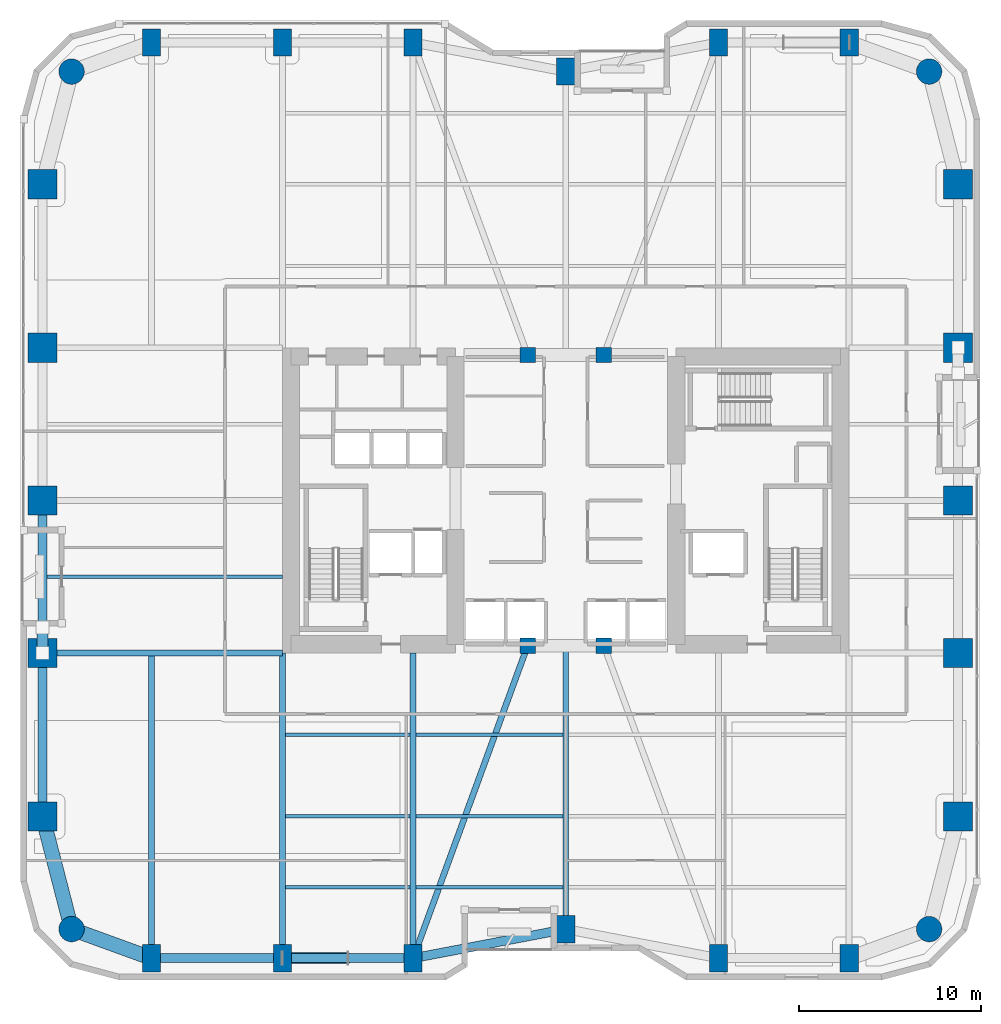
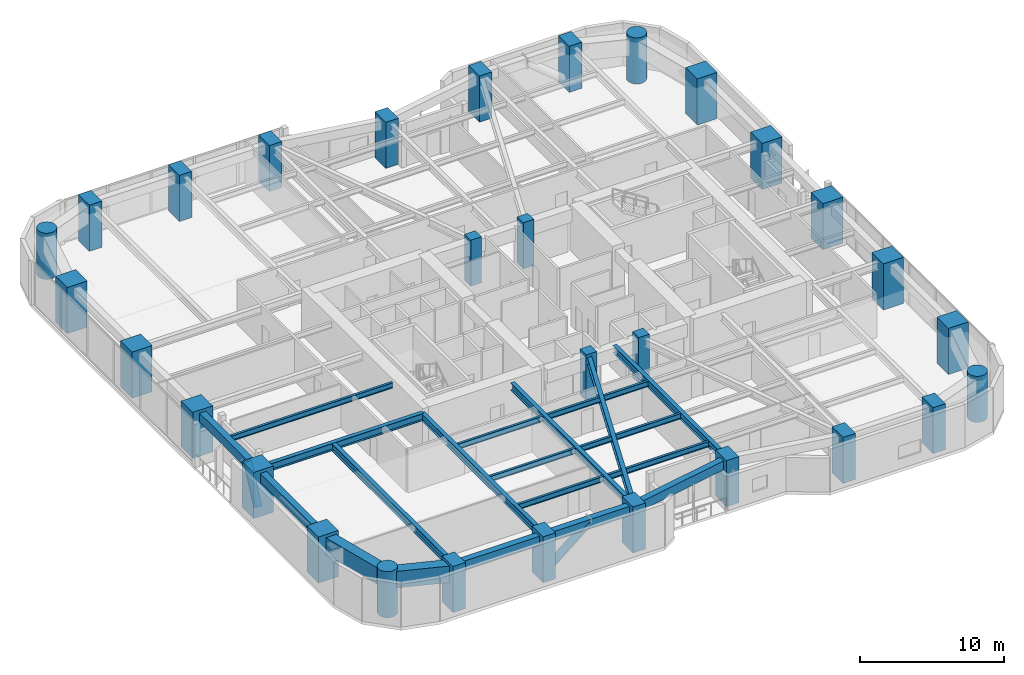
# One storey, part 1 of 24: 30 columns, 20 beams, 2 members.
"""IFC4 building model written with IfcOpenShell, lengths in metres."""

from ifc_helpers import new_model, si_unit, direction, frame, origin, origin_2d, place, context, subcontext, project, spatial, rectangle, circle, hollow_circle, i_section, extrude, material, material_profile, profile_set, type_object, element, save


model = new_model("IFC4")

# Units and contexts
model_context = context("Model", 3, precision=1e-05, world=origin(), true_north=direction((0.0, 1.0)))
body_context = subcontext(model_context, "Body", "Model", "MODEL_VIEW")
ifc_project = project(units=[si_unit("LENGTHUNIT", "METRE"), si_unit("AREAUNIT", "SQUARE_METRE"), si_unit("VOLUMEUNIT", "CUBIC_METRE"), si_unit("PLANEANGLEUNIT", "RADIAN"), si_unit("MASSUNIT", "GRAM", prefix="KILO")], contexts=[model_context])

# Site, building, storey
site_placement = place(None, origin())
site = spatial("IfcSite", under=ifc_project, at=site_placement, CompositionType="ELEMENT")
building_placement = place(site_placement, origin())
building = spatial("IfcBuilding", under=site, at=building_placement, Name="Kiyonajd Concourse Tower", CompositionType="ELEMENT")
storey_placement = place(building_placement, frame((0.0, 0.0, 89.699951171875)))
storey = spatial("IfcBuildingStorey", under=building, at=storey_placement, Name="L23", CompositionType="ELEMENT", Elevation=89.699951171875)

# Columns
ifc_material_1 = material(Name="Concrete C80/95", Category="concrete")
ifc_material_profile_1 = material_profile(ifc_material_1, rectangle(XDim=1.0, YDim=1.5, at=origin_2d()), Name="RC-1500x1000")
ifc_profile_set_1 = profile_set([ifc_material_profile_1], Name="Concrete C80/95")
column_type_1 = type_object("IfcColumnType", Name="CL-BLADE-1500", PredefinedType="COLUMN", material=ifc_profile_set_1)
for number, where, z_axis, x_axis, name in (
    (1, (25.199951171875, 10.800048828125, 0.0), (0.0, 0.0, 1.0), (1.0, 0.0, 0.0), "L23 Perimeter Bundled Tube Column"),
    (2, (25.199951171875, 61.199951171875, 0.0), (0.0, 0.0, 1.0), (1.0, 0.0, 0.0), "L23 Perimeter Bundled Tube Column"),
    (3, (32.39990234375, 10.800048828125, 0.0), (0.0, 0.0, 1.0), (1.0, 0.0, 0.0), "L23 Perimeter Bundled Tube Column"),
    (4, (32.39990234375, 61.199951171875, 0.0), (0.0, 0.0, 1.0), (1.0, 0.0, 0.0), "L23 Perimeter Bundled Tube Column"),
    (5, (39.60009765625, 10.800048828125, 0.0), (0.0, 0.0, 1.0), (1.0, 0.0, 0.0), "L23 Perimeter Bundled Tube Column"),
    (6, (39.60009765625, 61.199951171875, 0.0), (0.0, 0.0, 1.0), (1.0, 0.0, 0.0), "L23 Perimeter Bundled Tube Column"),
    (7, (48.0, 12.39990234375, 0.0), (0.0, 0.0, 1.0), (1.0, 0.0, 0.0), "L23 Perimeter Bundled Tube Column"),
    (8, (48.0, 59.60009765625, 0.0), (0.0, 0.0, 1.0), (1.0, 0.0, 0.0), "L23 Perimeter Bundled Tube Column"),
    (9, (56.39990234375, 10.800048828125, 0.0), (0.0, 0.0, 1.0), (1.0, 0.0, 0.0), "L23 Perimeter Bundled Tube Column"),
    (10, (56.39990234375, 61.199951171875, 0.0), (0.0, 0.0, 1.0), (1.0, 0.0, 0.0), "L23 Perimeter Bundled Tube Column"),
    (11, (63.60009765625, 10.800048828125, 0.0), (0.0, 0.0, 1.0), (1.0, 0.0, 0.0), "L23 Perimeter Bundled Tube Column"),
    (12, (63.60009765625, 61.199951171875, 0.0), (0.0, 0.0, 1.0), (1.0, 0.0, 0.0), "L23 Perimeter Bundled Tube Column"),
):
    element("IfcColumn", number, at=place(storey_placement, frame(where, z_axis=z_axis, x_axis=x_axis)), inside=storey, type_object=column_type_1, Name=name, PredefinedType="COLUMN", context=body_context, shape_type="SweptSolid", body=[
        extrude(rectangle(XDim=1.0, YDim=1.5, at=origin_2d()), origin(), (0.0, 0.0, 1.0), 3.900146484375),
    ])
ifc_material_profile_2 = material_profile(ifc_material_1, circle(Radius=0.699951171875, at=origin_2d()), Name="RCC-D1400")
ifc_profile_set_2 = profile_set([ifc_material_profile_2], Name="Concrete C80/95")
column_type_2 = type_object("IfcColumnType", Name="CL-RND-1400", PredefinedType="COLUMN", material=ifc_profile_set_2)
for number, where, z_axis, x_axis, name in (
    (13, (20.800048828125, 12.39990234375, 0.0), (0.0, 0.0, 1.0), (1.0, 0.0, 0.0), "L23 Bundled Tube Corner Column South West"),
    (14, (68.0, 12.39990234375, 0.0), (0.0, 0.0, 1.0), (1.0, 0.0, 0.0), "L23 Bundled Tube Corner Column South East"),
    (15, (68.0, 59.60009765625, 0.0), (0.0, 0.0, 1.0), (1.0, 0.0, 0.0), "L23 Bundled Tube Corner Column North East"),
    (16, (20.800048828125, 59.60009765625, 0.0), (0.0, 0.0, 1.0), (1.0, 0.0, 0.0), "L23 Bundled Tube Corner Column North West"),
):
    element("IfcColumn", number, at=place(storey_placement, frame(where, z_axis=z_axis, x_axis=x_axis)), inside=storey, type_object=column_type_2, Name=name, PredefinedType="COLUMN", context=body_context, shape_type="SweptSolid", body=[
        extrude(circle(Radius=0.699951171875, at=origin_2d()), origin(), (0.0, 0.0, 1.0), 3.900146484375),
    ])
ifc_material_profile_3 = material_profile(ifc_material_1, rectangle(XDim=1.60009765625, YDim=1.60009765625, at=origin_2d()), Name="RC-1600x1600")
ifc_profile_set_3 = profile_set([ifc_material_profile_3], Name="Concrete C80/95")
column_type_3 = type_object("IfcColumnType", Name="CL-TUBE-1600", PredefinedType="COLUMN", material=ifc_profile_set_3)
for number, where, z_axis, x_axis, name in (
    (17, (19.199951171875, 18.60009765625, 0.0), (0.0, 0.0, 1.0), (1.0, 0.0, 0.0), "L23 Perimeter Bundled Tube Column"),
    (18, (69.60009765625, 18.60009765625, 0.0), (0.0, 0.0, 1.0), (1.0, 0.0, 0.0), "L23 Perimeter Bundled Tube Column"),
    (19, (19.199951171875, 27.60009765625, 0.0), (0.0, 0.0, 1.0), (1.0, 0.0, 0.0), "L23 Perimeter Bundled Tube Column"),
    (20, (69.60009765625, 27.60009765625, 0.0), (0.0, 0.0, 1.0), (1.0, 0.0, 0.0), "L23 Perimeter Bundled Tube Column"),
    (21, (19.199951171875, 36.0, 0.0), (0.0, 0.0, 1.0), (1.0, 0.0, 0.0), "L23 Perimeter Bundled Tube Column"),
    (22, (69.60009765625, 36.0, 0.0), (0.0, 0.0, 1.0), (1.0, 0.0, 0.0), "L23 Perimeter Bundled Tube Column"),
    (23, (19.199951171875, 44.39990234375, 0.0), (0.0, 0.0, 1.0), (1.0, 0.0, 0.0), "L23 Perimeter Bundled Tube Column"),
    (24, (69.60009765625, 44.39990234375, 0.0), (0.0, 0.0, 1.0), (1.0, 0.0, 0.0), "L23 Perimeter Bundled Tube Column"),
    (25, (19.199951171875, 53.39990234375, 0.0), (0.0, 0.0, 1.0), (1.0, 0.0, 0.0), "L23 Perimeter Bundled Tube Column"),
    (26, (69.60009765625, 53.39990234375, 0.0), (0.0, 0.0, 1.0), (1.0, 0.0, 0.0), "L23 Perimeter Bundled Tube Column"),
):
    element("IfcColumn", number, at=place(storey_placement, frame(where, z_axis=z_axis, x_axis=x_axis)), inside=storey, type_object=column_type_3, Name=name, PredefinedType="COLUMN", context=body_context, shape_type="SweptSolid", body=[
        extrude(rectangle(XDim=1.60009765625, YDim=1.60009765625, at=origin_2d()), origin(), (0.0, 0.0, 1.0), 3.900146484375),
    ])
ifc_material_2 = material(Name="Concrete C60/75", Category="concrete")
ifc_material_profile_4 = material_profile(ifc_material_2, rectangle(XDim=0.85009765625, YDim=0.85009765625, at=origin_2d()), Name="RC-850x850")
ifc_profile_set_4 = profile_set([ifc_material_profile_4], Name="Concrete C60/75")
column_type_4 = type_object("IfcColumnType", Name="CL-TUBE-850", PredefinedType="COLUMN", material=ifc_profile_set_4)
for number, where, z_axis, x_axis, name in (
    (27, (45.89990234375, 28.0, 0.0), (0.0, 0.0, 1.0), (1.0, 0.0, 0.0), "L23 Core Tie Column South West"),
    (28, (50.10009765625, 28.0, 0.0), (0.0, 0.0, 1.0), (1.0, 0.0, 0.0), "L23 Core Tie Column South East"),
    (29, (45.89990234375, 44.0, 0.0), (0.0, 0.0, 1.0), (1.0, 0.0, 0.0), "L23 Core Tie Column North West"),
    (30, (50.10009765625, 44.0, 0.0), (0.0, 0.0, 1.0), (1.0, 0.0, 0.0), "L23 Core Tie Column North East"),
):
    element("IfcColumn", number, at=place(storey_placement, frame(where, z_axis=z_axis, x_axis=x_axis)), inside=storey, type_object=column_type_4, Name=name, PredefinedType="COLUMN", context=body_context, shape_type="SweptSolid", body=[
        extrude(rectangle(XDim=0.85009765625, YDim=0.85009765625, at=origin_2d()), origin(), (0.0, 0.0, 1.0), 3.900146484375),
    ])

# Beams
ifc_material_3 = material(Name="Steel ASTM A992 Grade 50", Category="steel")
ifc_material_profile_5 = material_profile(ifc_material_3, i_section(OverallWidth=0.19189453125, OverallDepth=0.462890625, WebThickness=0.010498046875, FlangeThickness=0.017578125, at=origin_2d()), Name="W460X89")
ifc_profile_set_5 = profile_set([ifc_material_profile_5], Name="Steel ASTM A992 Grade 50")
beam_type_1 = type_object("IfcBeamType", Name="BM-JST-460B", PredefinedType="JOIST", material=ifc_profile_set_5)
beam_1_placement = place(storey_placement, frame((32.5634765625, 14.699951171875, 3.408447265625), z_axis=(1.0, 0.0, 0.0), x_axis=(0.0, 1.0, 0.0)))
element("IfcBeam", 31, at=beam_1_placement, inside=storey, type_object=beam_type_1, Name="L23 Secondary Floor Joist", PredefinedType="JOIST", context=body_context, shape_type="SweptSolid", body=[
    extrude(i_section(OverallWidth=0.19189453125, OverallDepth=0.462890625, WebThickness=0.010498046875, FlangeThickness=0.017578125, at=origin_2d()), origin(), (0.0, 0.0, 1.0), 6.873046875),
])
beam_2_placement = place(storey_placement, frame((39.763427734375, 14.699951171875, 3.408447265625), z_axis=(1.0, 0.0, 0.0), x_axis=(0.0, 1.0, 0.0)))
element("IfcBeam", 32, at=beam_2_placement, inside=storey, type_object=beam_type_1, Name="L23 Secondary Floor Joist", PredefinedType="JOIST", context=body_context, shape_type="SweptSolid", body=[
    extrude(i_section(OverallWidth=0.19189453125, OverallDepth=0.462890625, WebThickness=0.010498046875, FlangeThickness=0.017578125, at=origin_2d()), origin(), (0.0, 0.0, 1.0), 8.072998046875),
])
beam_3_placement = place(storey_placement, frame((32.5634765625, 18.60009765625, 3.408447265625), z_axis=(1.0, 0.0, 0.0), x_axis=(0.0, 1.0, 0.0)))
element("IfcBeam", 33, at=beam_3_placement, inside=storey, type_object=beam_type_1, Name="L23 Secondary Floor Joist", PredefinedType="JOIST", context=body_context, shape_type="SweptSolid", body=[
    extrude(i_section(OverallWidth=0.19189453125, OverallDepth=0.462890625, WebThickness=0.010498046875, FlangeThickness=0.017578125, at=origin_2d()), origin(), (0.0, 0.0, 1.0), 6.873046875),
])
beam_4_placement = place(storey_placement, frame((39.763427734375, 18.60009765625, 3.408447265625), z_axis=(1.0, 0.0, 0.0), x_axis=(0.0, 1.0, 0.0)))
element("IfcBeam", 34, at=beam_4_placement, inside=storey, type_object=beam_type_1, Name="L23 Secondary Floor Joist", PredefinedType="JOIST", context=body_context, shape_type="SweptSolid", body=[
    extrude(i_section(OverallWidth=0.19189453125, OverallDepth=0.462890625, WebThickness=0.010498046875, FlangeThickness=0.017578125, at=origin_2d()), origin(), (0.0, 0.0, 1.0), 8.072998046875),
])
beam_5_placement = place(storey_placement, frame((32.5634765625, 23.10009765625, 3.408447265625), z_axis=(1.0, 0.0, 0.0), x_axis=(0.0, 1.0, 0.0)))
element("IfcBeam", 35, at=beam_5_placement, inside=storey, type_object=beam_type_1, Name="L23 Secondary Floor Joist", PredefinedType="JOIST", context=body_context, shape_type="SweptSolid", body=[
    extrude(i_section(OverallWidth=0.19189453125, OverallDepth=0.462890625, WebThickness=0.010498046875, FlangeThickness=0.017578125, at=origin_2d()), origin(), (0.0, 0.0, 1.0), 6.873046875),
])
beam_6_placement = place(storey_placement, frame((39.763427734375, 23.10009765625, 3.408447265625), z_axis=(1.0, 0.0, 0.0), x_axis=(0.0, 1.0, 0.0)))
element("IfcBeam", 36, at=beam_6_placement, inside=storey, type_object=beam_type_1, Name="L23 Secondary Floor Joist", PredefinedType="JOIST", context=body_context, shape_type="SweptSolid", body=[
    extrude(i_section(OverallWidth=0.19189453125, OverallDepth=0.462890625, WebThickness=0.010498046875, FlangeThickness=0.017578125, at=origin_2d()), origin(), (0.0, 0.0, 1.0), 8.072998046875),
])
beam_7_placement = place(storey_placement, frame((19.449951171875, 31.800048828125, 3.408447265625), z_axis=(1.0, 0.0, 0.0), x_axis=(0.0, 1.0, 0.0)))
element("IfcBeam", 37, at=beam_7_placement, inside=storey, type_object=beam_type_1, Name="L23 West Secondary Floor Joist", PredefinedType="JOIST", context=body_context, shape_type="SweptSolid", body=[
    extrude(i_section(OverallWidth=0.19189453125, OverallDepth=0.462890625, WebThickness=0.010498046875, FlangeThickness=0.017578125, at=origin_2d()), origin(), (0.0, 0.0, 1.0), 12.949951171875),
])
ifc_material_4 = material(Name="Precast concrete C50/60", Category="concrete")
ifc_material_profile_6 = material_profile(ifc_material_4, rectangle(XDim=0.5, YDim=0.75, at=origin_2d()), Name="RCBM-500x750")
ifc_profile_set_6 = profile_set([ifc_material_profile_6], Name="Precast concrete C50/60")
beam_type_2 = type_object("IfcBeamType", Name="BM-SPAN-RC", PredefinedType="SPANDREL", material=ifc_profile_set_6)
beam_8_placement = place(storey_placement, frame((19.199951171875, 27.60009765625, 3.26513671875), z_axis=(0.0, -1.0, 0.0), x_axis=(1.0, 0.0, 0.0)))
element("IfcBeam", 38, at=beam_8_placement, inside=storey, type_object=beam_type_2, Name="L23 Perimeter Bundled Tube Spandrel", PredefinedType="SPANDREL", context=body_context, shape_type="SweptSolid", body=[
    extrude(rectangle(XDim=0.5, YDim=0.75, at=origin_2d()), origin(), (0.0, 0.0, 1.0), 9.0),
])
beam_9_placement = place(storey_placement, frame((25.199951171875, 10.800048828125, 3.26513671875), z_axis=(1.0, 0.0, 0.0), x_axis=(0.0, 1.0, 0.0)))
element("IfcBeam", 39, at=beam_9_placement, inside=storey, type_object=beam_type_2, Name="L23 Perimeter Bundled Tube Spandrel", PredefinedType="SPANDREL", context=body_context, shape_type="SweptSolid", body=[
    extrude(rectangle(XDim=0.5, YDim=0.75, at=origin_2d()), origin(), (0.0, 0.0, 1.0), 7.199951171875),
])
beam_10_placement = place(storey_placement, frame((32.39990234375, 10.800048828125, 3.26513671875), z_axis=(1.0, 0.0, 0.0), x_axis=(0.0, 1.0, 0.0)))
element("IfcBeam", 40, at=beam_10_placement, inside=storey, type_object=beam_type_2, Name="L23 Perimeter Bundled Tube Spandrel", PredefinedType="SPANDREL", context=body_context, shape_type="SweptSolid", body=[
    extrude(rectangle(XDim=0.5, YDim=0.75, at=origin_2d()), origin(), (0.0, 0.0, 1.0), 7.2001953125),
])
beam_11_placement = place(storey_placement, frame((39.60009765625, 10.800048828125, 3.26513671875), z_axis=(0.982341315253, 0.187097675953, 0.0), x_axis=(-0.187097675953, 0.982341315253, 0.0)))
element("IfcBeam", 41, at=beam_11_placement, inside=storey, type_object=beam_type_2, Name="L23 Perimeter Bundled Tube Spandrel", PredefinedType="SPANDREL", context=body_context, shape_type="SweptSolid", body=[
    extrude(rectangle(XDim=0.5, YDim=0.75, at=origin_2d()), origin(), (0.0, 0.0, 1.0), 8.55078125),
])
beam_12_placement = place(storey_placement, frame((19.199951171875, 36.0, 3.26513671875), z_axis=(0.0, -1.0, 0.0), x_axis=(1.0, 0.0, 0.0)))
element("IfcBeam", 42, at=beam_12_placement, inside=storey, type_object=beam_type_2, Name="L23 Perimeter Bundled Tube Spandrel", PredefinedType="SPANDREL", context=body_context, shape_type="SweptSolid", body=[
    extrude(rectangle(XDim=0.5, YDim=0.75, at=origin_2d()), origin(), (0.0, 0.0, 1.0), 8.39990234375),
])
ifc_material_profile_7 = material_profile(ifc_material_3, i_section(OverallWidth=0.326904296875, OverallDepth=0.6220703125, WebThickness=0.015380859375, FlangeThickness=0.0244140625, at=origin_2d()), Name="W610X195")
ifc_profile_set_7 = profile_set([ifc_material_profile_7], Name="Steel ASTM A992 Grade 50")
beam_type_3 = type_object("IfcBeamType", Name="BM-TWR-610A", PredefinedType="BEAM", material=ifc_profile_set_7)
beam_13_placement = place(storey_placement, frame((39.60009765625, 10.800048828125, 3.3291015625), z_axis=(0.343925269715, 0.938997022813, 0.0), x_axis=(-0.938997022813, 0.343925269715, 0.0)))
element("IfcBeam", 43, at=beam_13_placement, inside=storey, type_object=beam_type_3, Name="L23 Core Tie Girder", PredefinedType="BEAM", context=body_context, shape_type="SweptSolid", body=[
    extrude(i_section(OverallWidth=0.326904296875, OverallDepth=0.6220703125, WebThickness=0.015380859375, FlangeThickness=0.0244140625, at=origin_2d()), origin(), (0.0, 0.0, 1.0), 18.3173828125),
])
for number, where, z_axis, x_axis, name in (
    (44, (25.199951171875, 10.800048828125, 3.3291015625), (0.0, 1.0, 0.0), (-1.0, 0.0, 0.0), "L23 South Lease Girder"),
    (45, (32.39990234375, 10.800048828125, 3.3291015625), (0.0, 1.0, 0.0), (-1.0, 0.0, 0.0), "L23 South Lease Girder"),
    (46, (39.60009765625, 10.800048828125, 3.3291015625), (0.0, 1.0, 0.0), (-1.0, 0.0, 0.0), "L23 South Lease Girder"),
):
    element("IfcBeam", number, at=place(storey_placement, frame(where, z_axis=z_axis, x_axis=x_axis)), inside=storey, type_object=beam_type_3, Name=name, PredefinedType="BEAM", context=body_context, shape_type="SweptSolid", body=[
        extrude(i_section(OverallWidth=0.326904296875, OverallDepth=0.6220703125, WebThickness=0.015380859375, FlangeThickness=0.0244140625, at=origin_2d()), origin(), (0.0, 0.0, 1.0), 16.800048828125),
    ])
beam_14_placement = place(storey_placement, frame((48.0, 12.39990234375, 3.3291015625), z_axis=(0.0, 1.0, 0.0), x_axis=(-1.0, 0.0, 0.0)))
element("IfcBeam", 47, at=beam_14_placement, inside=storey, type_object=beam_type_3, Name="L23 South Ribbon Girder", PredefinedType="BEAM", context=body_context, shape_type="SweptSolid", body=[
    extrude(i_section(OverallWidth=0.326904296875, OverallDepth=0.6220703125, WebThickness=0.015380859375, FlangeThickness=0.0244140625, at=origin_2d()), origin(), (0.0, 0.0, 1.0), 15.60009765625),
])
beam_15_placement = place(storey_placement, frame((19.199951171875, 27.60009765625, 3.3291015625), z_axis=(1.0, 0.0, 0.0), x_axis=(0.0, 1.0, 0.0)))
element("IfcBeam", 48, at=beam_15_placement, inside=storey, type_object=beam_type_3, Name="L23 West Lease Girder", PredefinedType="BEAM", context=body_context, shape_type="SweptSolid", body=[
    extrude(i_section(OverallWidth=0.326904296875, OverallDepth=0.6220703125, WebThickness=0.015380859375, FlangeThickness=0.0244140625, at=origin_2d()), origin(), (0.0, 0.0, 1.0), 13.199951171875),
])
ifc_material_profile_8 = material_profile(ifc_material_2, rectangle(XDim=0.800048828125, YDim=1.39990234375, at=origin_2d()), Name="RCBM-800x1400")
ifc_profile_set_8 = profile_set([ifc_material_profile_8], Name="Concrete C60/75")
beam_type_4 = type_object("IfcBeamType", Name="BM-XFER-RC", PredefinedType="BEAM", material=ifc_profile_set_8)
beam_16_placement = place(storey_placement, frame((19.199951171875, 18.60009765625, 2.93994140625), z_axis=(0.249884937687, -0.968275538221, 0.0), x_axis=(0.968275538221, 0.249884937687, 0.0)))
element("IfcBeam", 49, at=beam_16_placement, inside=storey, type_object=beam_type_4, Name="L23 Perimeter Bundled Tube Spandrel", PredefinedType="BEAM", context=body_context, shape_type="SweptSolid", body=[
    extrude(rectangle(XDim=0.800048828125, YDim=1.39990234375, at=origin_2d()), origin(), (0.0, 0.0, 1.0), 6.4033203125),
])
beam_17_placement = place(storey_placement, frame((20.800048828125, 12.39990234375, 2.93994140625), z_axis=(0.939801036019, -0.341722127901, 0.0), x_axis=(0.341722127901, 0.939801036019, 0.0)))
element("IfcBeam", 50, at=beam_17_placement, inside=storey, type_object=beam_type_4, Name="L23 Perimeter Bundled Tube Spandrel", PredefinedType="BEAM", context=body_context, shape_type="SweptSolid", body=[
    extrude(rectangle(XDim=0.800048828125, YDim=1.39990234375, at=origin_2d()), origin(), (0.0, 0.0, 1.0), 4.681640625),
])

# Members
ifc_material_5 = material(Name="Steel ASTM A572 Grade 50", Category="steel")
ifc_material_profile_9 = material_profile(ifc_material_5, hollow_circle(Radius=0.304931640625, WallThickness=0.02490234375, at=origin_2d()), Name="CHS-610x25")
ifc_profile_set_9 = profile_set([ifc_material_profile_9], Name="Steel ASTM A572 Grade 50")
member_type = type_object("IfcMemberType", Name="MB-PB-LOW", PredefinedType="BRACE", material=ifc_profile_set_9)
member_1_placement = place(storey_placement, frame((32.39990234375, 10.800048828125, 0.300048828125), z_axis=(0.769280705518, 0.0, 0.638910945373), x_axis=(0.0, 1.0, 0.0)))
element("IfcMember", 51, at=member_1_placement, inside=storey, type_object=member_type, Name="L23 Lower Zone Welded Tube Brace PBS", PredefinedType="BRACE", context=body_context, shape_type="SweptSolid", body=[
    extrude(hollow_circle(Radius=0.304931640625, WallThickness=0.02490234375, at=origin_2d()), origin(), (0.0, 0.0, 1.0), 4.679931640625),
])
member_2_placement = place(storey_placement, frame((19.199951171875, 27.60009765625, 0.300048828125), z_axis=(0.0, 0.424022702926, 0.905651559598), x_axis=(-1.0, 0.0, 0.0)))
element("IfcMember", 52, at=member_2_placement, inside=storey, type_object=member_type, Name="L23 Lower Zone Welded Tube Brace PBW", PredefinedType="BRACE", context=body_context, shape_type="SweptSolid", body=[
    extrude(hollow_circle(Radius=0.304931640625, WallThickness=0.02490234375, at=origin_2d()), origin(), (0.0, 0.0, 1.0), 3.301513671875),
])

save(model, "model.ifc")
